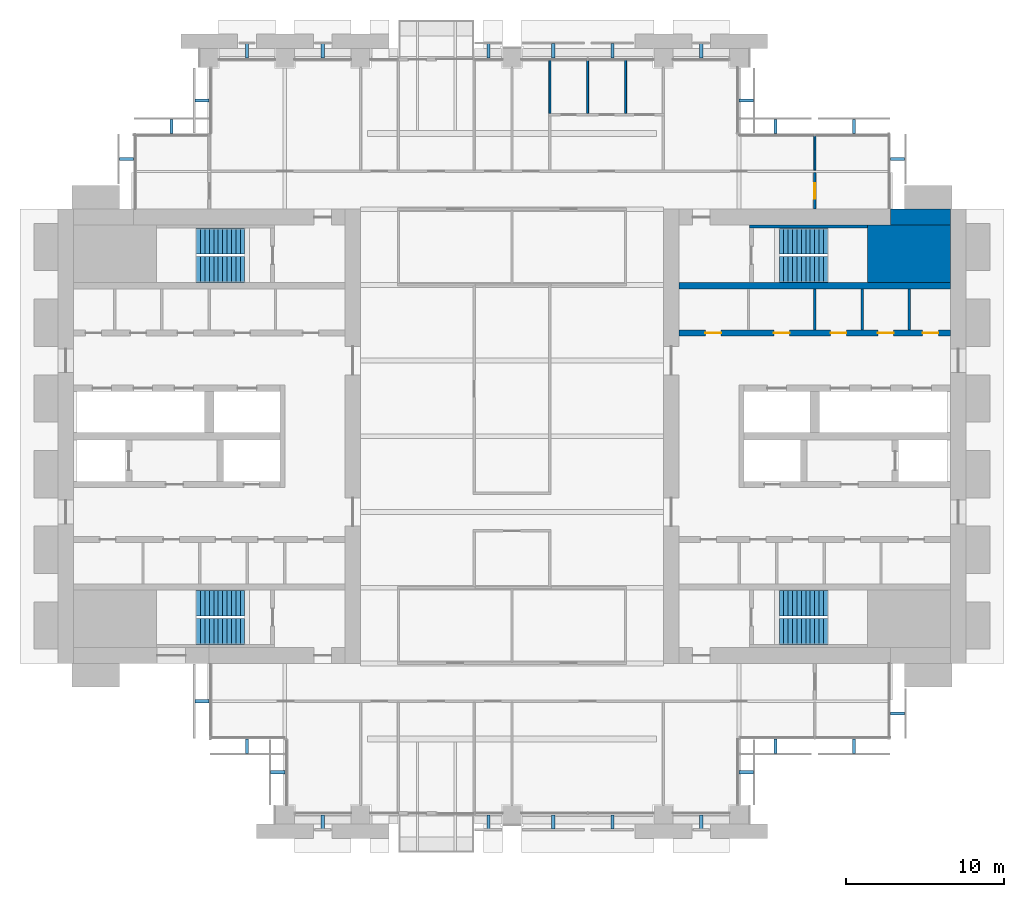
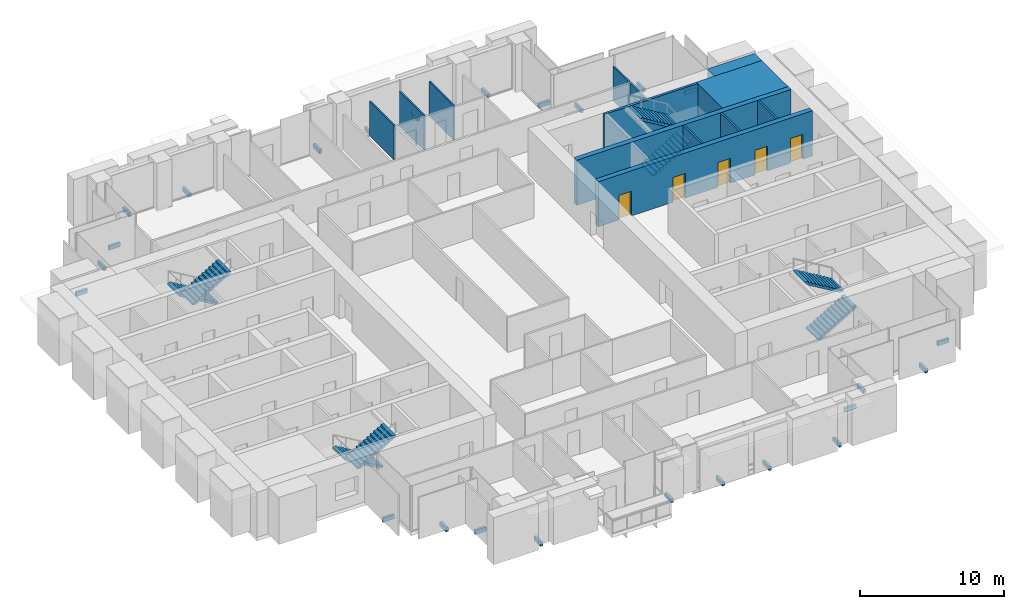
# One storey, part 13 of 15: 25 discrete accessories, 13 walls, 8 stair flights, 6 doors, 6 openings, 4 elements without a shape of their own.
"""IFC4 building model written with IfcOpenShell, lengths in metres."""

from ifc_helpers import new_model, si_unit, direction, frame, frame_2d, origin, origin_2d, place, context, subcontext, project, spatial, polyline, rectangle, outline, extrude, material, layer, layer_set, type_object, element, fill, aggregate, save


model = new_model("IFC4")

# Units and contexts
model_context = context("Model", 3, precision=1e-05, world=origin(), true_north=direction((0.0, 1.0)))
body_context = subcontext(model_context, "Body", "Model", "MODEL_VIEW")
ifc_project = project(units=[si_unit("LENGTHUNIT", "METRE"), si_unit("AREAUNIT", "SQUARE_METRE"), si_unit("VOLUMEUNIT", "CUBIC_METRE"), si_unit("PLANEANGLEUNIT", "RADIAN"), si_unit("MASSUNIT", "GRAM", prefix="KILO")], contexts=[model_context])

# Site, building, storey
site_placement = place(None, origin())
site = spatial("IfcSite", under=ifc_project, at=site_placement, CompositionType="ELEMENT")
building_placement = place(site_placement, origin())
building = spatial("IfcBuilding", under=site, at=building_placement, Name="Baori Bourse Tower", CompositionType="ELEMENT")
storey_placement = place(building_placement, frame((0.0, 0.0, 104.10009765625)))
storey = spatial("IfcBuildingStorey", under=building, at=storey_placement, Name="L21", CompositionType="ELEMENT", Elevation=104.10009765625)

# Walls
ifc_material_1 = material(Name="Concrete f'c 60 MPa", Category="concrete")
wall_type_1 = type_object("IfcWallType", Name="Core corner block f'c 60", PredefinedType="SHEAR", material=ifc_material_1)
wall_1_placement = place(storey_placement, frame((51.35009765625, 35.574951171875, 0.0), z_axis=(0.0, 0.0, 1.0), x_axis=(1.0, 0.0, 0.0)))
element("IfcWall", 1, at=wall_1_placement, inside=storey, type_object=wall_type_1, Name="Core wall E27", PredefinedType="SHEAR", context=body_context, shape_type="SweptSolid", body=[
    extrude(rectangle(XDim=5.25, YDim=3.64990234375, at=frame_2d((2.625, 0.0))), origin(), (0.0, 0.0, 1.0), 3.83984375),
])
ifc_material_2 = material(Name="Blockwork partition", Category="masonry")
ifc_layer_1 = layer(ifc_material_2, 0.14990234375)
ifc_layer_set_1 = layer_set([ifc_layer_1], Name="Core partition 150")
wall_type_2 = type_object("IfcWallType", Name="Core partition 150", PredefinedType="PARTITIONING", material=ifc_layer_set_1)
for number, where, z_axis, x_axis, name in (
    (2, (54.0, 30.75, 0.0), (0.0, 0.0, 1.0), (0.0, 1.0, 0.0), "Partition wall E22"),
    (3, (51.0, 30.75, 0.0), (0.0, 0.0, 1.0), (0.0, 1.0, 0.0), "Partition wall E23"),
    (4, (48.0, 30.75, 0.0), (0.0, 0.0, 1.0), (0.0, 1.0, 0.0), "Partition wall E24"),
):
    element("IfcWall", number, at=place(storey_placement, frame(where, z_axis=z_axis, x_axis=x_axis)), inside=storey, type_object=wall_type_2, Name=name, PredefinedType="PARTITIONING", context=body_context, shape_type="SweptSolid", body=[
        extrude(rectangle(XDim=2.60009765625, YDim=0.14990234375, at=frame_2d((1.300048828125, 0.0))), origin(), (0.0, 0.0, 1.0), 3.83984375),
    ])
ifc_material_3 = material(Name="Concrete f'c 60 MPa", Category="concrete")
ifc_layer_2 = layer(ifc_material_3, 1.0)
ifc_layer_set_2 = layer_set([ifc_layer_2], Name="Core wall 1000 f'c 60")
wall_type_3 = type_object("IfcWallType", Name="Core wall 1000 f'c 60", PredefinedType="SHEAR", material=ifc_layer_set_2)
wall_2_placement = place(storey_placement, frame((52.800048828125, 37.89990234375, 0.0), z_axis=(0.0, 0.0, 1.0), x_axis=(1.0, 0.0, 0.0)))
element("IfcWall", 5, at=wall_2_placement, inside=storey, type_object=wall_type_3, Name="Core wall E30", PredefinedType="SHEAR", context=body_context, shape_type="SweptSolid", body=[
    extrude(rectangle(XDim=3.800048828125, YDim=1.0, at=frame_2d((1.89990234375, 0.0))), origin(), (0.0, 0.0, 1.0), 3.83984375),
])

# Wall, opening, door
ifc_material_4 = material(Name="Gypsum board partition")
ifc_layer_3 = layer(ifc_material_4, 0.14990234375)
ifc_layer_set_3 = layer_set([ifc_layer_3], Name="Corridor partition 150")
wall_type_4 = type_object("IfcWallType", Name="Corridor partition 150", PredefinedType="PARTITIONING", material=ifc_layer_set_3)
wall_3_placement = place(storey_placement, frame((48.0, 38.39990234375, 0.0), z_axis=(0.0, 0.0, 1.0), x_axis=(0.0, 1.0, 0.0)))
wall_3 = element("IfcWall", 6, at=wall_3_placement, inside=storey, type_object=wall_type_4, Name="Partition", PredefinedType="PARTITIONING", context=body_context, shape_type="SweptSolid", body=[
    extrude(rectangle(XDim=2.3251953125, YDim=0.14990234375, at=frame_2d((1.16259765625, 0.0))), origin(), (0.0, 0.0, 1.0), 2.935546875),
])
opening_1_placement = place(wall_3_placement, frame((0.66259765625, 0.0, 0.0)))
opening_1 = element("IfcOpeningElement", 7, at=opening_1_placement, cuts=wall_3, Name="Opening L21-D25", PredefinedType="OPENING", context=body_context, shape_type="SweptSolid", body=[
    extrude(rectangle(XDim=1.0, YDim=2.10009765625, at=frame_2d((0.5, 1.050048828125))), frame((0.0, 0.0849609375, 0.0), z_axis=(0.0, -1.0, 0.0), x_axis=(1.0, 0.0, 0.0)), (0.0, 0.0, 1.0), 0.169921875),
])
ifc_material_5 = material(Name="Timber door leaf", Category="wood")
door_type_1 = type_object("IfcDoorType", Name="Door 1000 x 2100", OperationType="SINGLE_SWING_LEFT", PredefinedType="DOOR", material=ifc_material_5)
door_1_placement = place(opening_1_placement, origin())
door_1 = element("IfcDoor", 8, at=door_1_placement, inside=storey, type_object=door_type_1, Name="Door", OperationType="SINGLE_SWING_LEFT", OverallHeight=2.10009765625, OverallWidth=1.0, PredefinedType="DOOR", context=body_context, shape_type="SweptSolid", body=[
    extrude(rectangle(XDim=1.0, YDim=2.10009765625, at=frame_2d((0.5, 1.050048828125))), frame((0.0, 0.02490234375, 0.0), z_axis=(0.0, -1.0, 0.0), x_axis=(1.0, 0.0, 0.0)), (0.0, 0.0, 1.0), 0.050048828125),
])
fill(opening_1, door_1)

# Walls
ifc_material_6 = material(Name="Gypsum board partition")
ifc_layer_4 = layer(ifc_material_6, 0.125)
ifc_layer_set_4 = layer_set([ifc_layer_4], Name="Partition 125")
wall_type_5 = type_object("IfcWallType", Name="Partition 125", PredefinedType="PARTITIONING", material=ifc_layer_set_4)
for number, where, z_axis, x_axis, name in (
    (9, (31.199951171875, 44.47509765625, 0.0), (0.0, 0.0, 1.0), (0.0, 1.0, 0.0), "Partition"),
    (10, (33.60009765625, 44.47509765625, 0.0), (0.0, 0.0, 1.0), (0.0, 1.0, 0.0), "Partition"),
    (11, (36.0, 44.47509765625, 0.0), (0.0, 0.0, 1.0), (0.0, 1.0, 0.0), "Partition"),
):
    element("IfcWall", number, at=place(storey_placement, frame(where, z_axis=z_axis, x_axis=x_axis)), inside=storey, type_object=wall_type_5, Name=name, PredefinedType="PARTITIONING", context=body_context, shape_type="SweptSolid", body=[
        extrude(rectangle(XDim=3.4248046875, YDim=0.125, at=frame_2d((1.71240234375, 0.0))), origin(), (0.0, 0.0, 1.0), 2.935546875),
    ])
wall_4_placement = place(storey_placement, frame((48.0, 40.875, 0.0), z_axis=(0.0, 0.0, 1.0), x_axis=(0.0, 1.0, 0.0)))
element("IfcWall", 12, at=wall_4_placement, inside=storey, type_object=wall_type_5, Name="Partition", PredefinedType="PARTITIONING", context=body_context, shape_type="SweptSolid", body=[
    extrude(rectangle(XDim=2.22509765625, YDim=0.125, at=frame_2d((1.112548828125, 0.0))), origin(), (0.0, 0.0, 1.0), 2.935546875),
])
ifc_material_7 = material(Name="Concrete f'c 60 MPa", Category="concrete")
ifc_layer_5 = layer(ifc_material_7, 0.199951171875)
ifc_layer_set_5 = layer_set([ifc_layer_5], Name="Shaft wall 200 f'c 60")
wall_type_6 = type_object("IfcWallType", Name="Shaft wall 200 f'c 60", PredefinedType="SHEAR", material=ifc_layer_set_5)
wall_5_placement = place(storey_placement, frame((43.85009765625, 37.300048828125, 0.0), z_axis=(0.0, 0.0, 1.0), x_axis=(1.0, 0.0, 0.0)))
element("IfcWall", 13, at=wall_5_placement, inside=storey, type_object=wall_type_6, Name="Core wall E29", PredefinedType="SHEAR", context=body_context, shape_type="SweptSolid", body=[
    extrude(rectangle(XDim=7.5, YDim=0.199951171875, at=frame_2d((3.75, 0.0))), origin(), (0.0, 0.0, 1.0), 3.83984375),
])

# Wall, openings, doors
ifc_material_8 = material(Name="Concrete f'c 60 MPa", Category="concrete")
ifc_layer_6 = layer(ifc_material_8, 0.39990234375)
ifc_layer_set_6 = layer_set([ifc_layer_6], Name="Shaft wall 400 f'c 60")
wall_type_7 = type_object("IfcWallType", Name="Shaft wall 400 f'c 60", PredefinedType="SHEAR", material=ifc_layer_set_6)
wall_6_placement = place(storey_placement, frame((39.39990234375, 30.550048828125, 0.0), z_axis=(0.0, 0.0, 1.0), x_axis=(1.0, 0.0, 0.0)))
wall_6 = element("IfcWall", 14, at=wall_6_placement, inside=storey, type_object=wall_type_7, Name="Core wall E21", PredefinedType="SHEAR", context=body_context, shape_type="SweptSolid", body=[
    extrude(rectangle(XDim=17.2001953125, YDim=0.39990234375, at=frame_2d((8.60009765625, 0.0))), origin(), (0.0, 0.0, 1.0), 3.83984375),
])
opening_2_placement = place(wall_6_placement, frame((15.4375, 0.0, 0.0)))
opening_2 = element("IfcOpeningElement", 15, at=opening_2_placement, cuts=wall_6, Name="Opening L21-D209", PredefinedType="OPENING", context=body_context, shape_type="SweptSolid", body=[
    extrude(rectangle(XDim=1.0, YDim=2.10009765625, at=frame_2d((0.5, 1.050048828125))), frame((0.0, 0.2099609375, 0.0), z_axis=(0.0, -1.0, 0.0), x_axis=(1.0, 0.0, 0.0)), (0.0, 0.0, 1.0), 0.419921875),
])
opening_3_placement = place(wall_6_placement, frame((12.60009765625, 0.0, 0.0)))
opening_3 = element("IfcOpeningElement", 16, at=opening_3_placement, cuts=wall_6, Name="Opening L21-D210", PredefinedType="OPENING", context=body_context, shape_type="SweptSolid", body=[
    extrude(rectangle(XDim=1.0, YDim=2.10009765625, at=frame_2d((0.5, 1.050048828125))), frame((0.0, 0.2099609375, 0.0), z_axis=(0.0, -1.0, 0.0), x_axis=(1.0, 0.0, 0.0)), (0.0, 0.0, 1.0), 0.419921875),
])
opening_4_placement = place(wall_6_placement, frame((9.60009765625, 0.0, 0.0)))
opening_4 = element("IfcOpeningElement", 17, at=opening_4_placement, cuts=wall_6, Name="Opening L21-D211", PredefinedType="OPENING", context=body_context, shape_type="SweptSolid", body=[
    extrude(rectangle(XDim=1.0, YDim=2.10009765625, at=frame_2d((0.5, 1.050048828125))), frame((0.0, 0.2099609375, 0.0), z_axis=(0.0, -1.0, 0.0), x_axis=(1.0, 0.0, 0.0)), (0.0, 0.0, 1.0), 0.419921875),
])
opening_5_placement = place(wall_6_placement, frame((6.0, 0.0, 0.0)))
opening_5 = element("IfcOpeningElement", 18, at=opening_5_placement, cuts=wall_6, Name="Opening L21-D212", PredefinedType="OPENING", context=body_context, shape_type="SweptSolid", body=[
    extrude(rectangle(XDim=1.0, YDim=2.10009765625, at=frame_2d((0.5, 1.050048828125))), frame((0.0, 0.2099609375, 0.0), z_axis=(0.0, -1.0, 0.0), x_axis=(1.0, 0.0, 0.0)), (0.0, 0.0, 1.0), 0.419921875),
])
opening_6_placement = place(wall_6_placement, frame((1.66259765625, 0.0, 0.0)))
opening_6 = element("IfcOpeningElement", 19, at=opening_6_placement, cuts=wall_6, Name="Opening L21-D213", PredefinedType="OPENING", context=body_context, shape_type="SweptSolid", body=[
    extrude(rectangle(XDim=1.0, YDim=2.10009765625, at=frame_2d((0.5, 1.050048828125))), frame((0.0, 0.2099609375, 0.0), z_axis=(0.0, -1.0, 0.0), x_axis=(1.0, 0.0, 0.0)), (0.0, 0.0, 1.0), 0.419921875),
])
ifc_material_9 = material(Name="Painted steel door", Category="steel")
door_type_2 = type_object("IfcDoorType", Name="Core door 1000", OperationType="SINGLE_SWING_LEFT", PredefinedType="DOOR", material=ifc_material_9)
door_2_placement = place(opening_2_placement, origin())
door_2 = element("IfcDoor", 20, at=door_2_placement, inside=storey, type_object=door_type_2, Name="Pantry door E L21", OperationType="SINGLE_SWING_LEFT", OverallHeight=2.10009765625, OverallWidth=1.0, PredefinedType="DOOR", context=body_context, shape_type="SweptSolid", body=[
    extrude(rectangle(XDim=1.0, YDim=2.10009765625, at=frame_2d((0.5, 1.050048828125))), frame((0.0, 0.02490234375, 0.0), z_axis=(0.0, -1.0, 0.0), x_axis=(1.0, 0.0, 0.0)), (0.0, 0.0, 1.0), 0.050048828125),
])
fill(opening_2, door_2)
door_3_placement = place(opening_3_placement, origin())
door_3 = element("IfcDoor", 21, at=door_3_placement, inside=storey, type_object=door_type_2, Name="Accessible Wc door E L21", OperationType="SINGLE_SWING_LEFT", OverallHeight=2.10009765625, OverallWidth=1.0, PredefinedType="DOOR", context=body_context, shape_type="SweptSolid", body=[
    extrude(rectangle(XDim=1.0, YDim=2.10009765625, at=frame_2d((0.5, 1.050048828125))), frame((0.0, 0.02490234375, 0.0), z_axis=(0.0, -1.0, 0.0), x_axis=(1.0, 0.0, 0.0)), (0.0, 0.0, 1.0), 0.050048828125),
])
fill(opening_3, door_3)
door_4_placement = place(opening_4_placement, origin())
door_4 = element("IfcDoor", 22, at=door_4_placement, inside=storey, type_object=door_type_2, Name="Store Room door E L21", OperationType="SINGLE_SWING_LEFT", OverallHeight=2.10009765625, OverallWidth=1.0, PredefinedType="DOOR", context=body_context, shape_type="SweptSolid", body=[
    extrude(rectangle(XDim=1.0, YDim=2.10009765625, at=frame_2d((0.5, 1.050048828125))), frame((0.0, 0.02490234375, 0.0), z_axis=(0.0, -1.0, 0.0), x_axis=(1.0, 0.0, 0.0)), (0.0, 0.0, 1.0), 0.050048828125),
])
fill(opening_4, door_4)
door_5_placement = place(opening_5_placement, origin())
door_5 = element("IfcDoor", 23, at=door_5_placement, inside=storey, type_object=door_type_2, Name="Men'S Wc door E L21", OperationType="SINGLE_SWING_LEFT", OverallHeight=2.10009765625, OverallWidth=1.0, PredefinedType="DOOR", context=body_context, shape_type="SweptSolid", body=[
    extrude(rectangle(XDim=1.0, YDim=2.10009765625, at=frame_2d((0.5, 1.050048828125))), frame((0.0, 0.02490234375, 0.0), z_axis=(0.0, -1.0, 0.0), x_axis=(1.0, 0.0, 0.0)), (0.0, 0.0, 1.0), 0.050048828125),
])
fill(opening_5, door_5)
door_6_placement = place(opening_6_placement, origin())
door_6 = element("IfcDoor", 24, at=door_6_placement, inside=storey, type_object=door_type_2, Name="Women'S Wc door E L21", OperationType="SINGLE_SWING_LEFT", OverallHeight=2.10009765625, OverallWidth=1.0, PredefinedType="DOOR", context=body_context, shape_type="SweptSolid", body=[
    extrude(rectangle(XDim=1.0, YDim=2.10009765625, at=frame_2d((0.5, 1.050048828125))), frame((0.0, 0.02490234375, 0.0), z_axis=(0.0, -1.0, 0.0), x_axis=(1.0, 0.0, 0.0)), (0.0, 0.0, 1.0), 0.050048828125),
])
fill(opening_6, door_6)

# Wall
wall_7_placement = place(storey_placement, frame((39.39990234375, 33.550048828125, 0.0), z_axis=(0.0, 0.0, 1.0), x_axis=(1.0, 0.0, 0.0)))
element("IfcWall", 25, at=wall_7_placement, inside=storey, type_object=wall_type_7, Name="Core wall E26", PredefinedType="SHEAR", context=body_context, shape_type="SweptSolid", body=[
    extrude(rectangle(XDim=17.2001953125, YDim=0.39990234375, at=frame_2d((8.60009765625, 0.0))), origin(), (0.0, 0.0, 1.0), 3.83984375),
])

# Stair, stair flights
ifc_material_10 = material(Name="Concrete f'c 50 MPa", Category="concrete")
stair_type = type_object("IfcStairType", Name="Core stair", PredefinedType="HALF_TURN_STAIR", material=ifc_material_10)
stair_1_placement = place(storey_placement, origin())
stair_1 = element("IfcStair", 26, at=stair_1_placement, inside=storey, type_object=stair_type, Name="L21 Stair WA", PredefinedType="HALF_TURN_STAIR")
ifc_material_11 = material(Name="Concrete f'c 50 MPa", Category="concrete")
stair_flight_type = type_object("IfcStairFlightType", Name="Core stair flight", PredefinedType="STRAIGHT", material=ifc_material_11)
stair_flight_1_placement = place(storey_placement, frame((11.85009765625, 13.425048828125, 0.0), z_axis=(0.0, 0.0, 1.0), x_axis=(-1.0, 0.0, 0.0)))
stair_flight_1 = element("IfcStairFlight", 27, at=stair_flight_1_placement, type_object=stair_flight_type, Name="ST1 flight 1", NumberOfRisers=12, NumberOfTreads=11, PredefinedType="STRAIGHT", RiserHeight=0.166666667, TreadLength=0.28, context=body_context, shape_type="SweptSolid", body=[
    extrude(outline(polyline([(0.0, 0.0), (0.0, 0.166748046875), (0.280029296875, 0.166748046875), (0.280029296875, 0.333251953125), (0.56005859375, 0.333251953125), (0.56005859375, 0.5), (0.840087890625, 0.5), (0.840087890625, 0.666748046875), (1.1201171875, 0.666748046875), (1.1201171875, 0.833251953125), (1.39990234375, 0.833251953125), (1.39990234375, 1.0), (1.679931640625, 1.0), (1.679931640625, 1.166748046875), (1.9599609375, 1.166748046875), (1.9599609375, 1.333251953125), (2.239990234375, 1.333251953125), (2.239990234375, 1.5), (2.52001953125, 1.5), (2.52001953125, 1.666748046875), (2.800048828125, 1.666748046875), (2.800048828125, 1.833251953125), (3.080078125, 1.833251953125), (3.080078125, 2.0), (3.080078125, 1.658935546875), (0.29296875, 0.0), (0.0, 0.0)])), frame((0.0, 0.824951171875, 0.0), z_axis=(0.0, -1.0, 0.0), x_axis=(1.0, 0.0, 0.0)), (0.0, 0.0, 1.0), 1.64990234375),
])
stair_flight_2_placement = place(storey_placement, frame((8.77001953125, 11.625, 2.0), z_axis=(0.0, 0.0, 1.0), x_axis=(1.0, 0.0, 0.0)))
stair_flight_2 = element("IfcStairFlight", 28, at=stair_flight_2_placement, type_object=stair_flight_type, Name="ST1 flight 2", NumberOfRisers=12, NumberOfTreads=11, PredefinedType="STRAIGHT", RiserHeight=0.166666667, TreadLength=0.28, context=body_context, shape_type="SweptSolid", body=[
    extrude(outline(polyline([(0.0, 0.0), (0.0, 0.166748046875), (0.280029296875, 0.166748046875), (0.280029296875, 0.333251953125), (0.56005859375, 0.333251953125), (0.56005859375, 0.5), (0.840087890625, 0.5), (0.840087890625, 0.666748046875), (1.1201171875, 0.666748046875), (1.1201171875, 0.833251953125), (1.39990234375, 0.833251953125), (1.39990234375, 1.0), (1.679931640625, 1.0), (1.679931640625, 1.166748046875), (1.9599609375, 1.166748046875), (1.9599609375, 1.333251953125), (2.239990234375, 1.333251953125), (2.239990234375, 1.5), (2.52001953125, 1.5), (2.52001953125, 1.666748046875), (2.800048828125, 1.666748046875), (2.800048828125, 1.833251953125), (3.080078125, 1.833251953125), (3.080078125, 2.0), (3.080078125, 1.658935546875), (0.29296875, 0.0), (0.0, 0.0)])), frame((0.0, 0.824951171875, 0.0), z_axis=(0.0, -1.0, 0.0), x_axis=(1.0, 0.0, 0.0)), (0.0, 0.0, 1.0), 1.64990234375),
])
aggregate(stair_1, [stair_flight_1, stair_flight_2])

stair_2_placement = place(storey_placement, origin())
stair_2 = element("IfcStair", 29, at=stair_2_placement, inside=storey, type_object=stair_type, Name="L21 Stair WB", PredefinedType="HALF_TURN_STAIR")
stair_flight_3_placement = place(storey_placement, frame((11.85009765625, 36.375, 0.0), z_axis=(0.0, 0.0, 1.0), x_axis=(-1.0, 0.0, 0.0)))
stair_flight_3 = element("IfcStairFlight", 30, at=stair_flight_3_placement, type_object=stair_flight_type, Name="ST2 flight 1", NumberOfRisers=12, NumberOfTreads=11, PredefinedType="STRAIGHT", RiserHeight=0.166666667, TreadLength=0.28, context=body_context, shape_type="SweptSolid", body=[
    extrude(outline(polyline([(0.0, 0.0), (0.0, 0.166748046875), (0.280029296875, 0.166748046875), (0.280029296875, 0.333251953125), (0.56005859375, 0.333251953125), (0.56005859375, 0.5), (0.840087890625, 0.5), (0.840087890625, 0.666748046875), (1.1201171875, 0.666748046875), (1.1201171875, 0.833251953125), (1.39990234375, 0.833251953125), (1.39990234375, 1.0), (1.679931640625, 1.0), (1.679931640625, 1.166748046875), (1.9599609375, 1.166748046875), (1.9599609375, 1.333251953125), (2.239990234375, 1.333251953125), (2.239990234375, 1.5), (2.52001953125, 1.5), (2.52001953125, 1.666748046875), (2.800048828125, 1.666748046875), (2.800048828125, 1.833251953125), (3.080078125, 1.833251953125), (3.080078125, 2.0), (3.080078125, 1.658935546875), (0.29296875, 0.0), (0.0, 0.0)])), frame((0.0, 0.824951171875, 0.0), z_axis=(0.0, -1.0, 0.0), x_axis=(1.0, 0.0, 0.0)), (0.0, 0.0, 1.0), 1.64990234375),
])
stair_flight_4_placement = place(storey_placement, frame((8.77001953125, 34.574951171875, 2.0), z_axis=(0.0, 0.0, 1.0), x_axis=(1.0, 0.0, 0.0)))
stair_flight_4 = element("IfcStairFlight", 31, at=stair_flight_4_placement, type_object=stair_flight_type, Name="ST2 flight 2", NumberOfRisers=12, NumberOfTreads=11, PredefinedType="STRAIGHT", RiserHeight=0.166666667, TreadLength=0.28, context=body_context, shape_type="SweptSolid", body=[
    extrude(outline(polyline([(0.0, 0.0), (0.0, 0.166748046875), (0.280029296875, 0.166748046875), (0.280029296875, 0.333251953125), (0.56005859375, 0.333251953125), (0.56005859375, 0.5), (0.840087890625, 0.5), (0.840087890625, 0.666748046875), (1.1201171875, 0.666748046875), (1.1201171875, 0.833251953125), (1.39990234375, 0.833251953125), (1.39990234375, 1.0), (1.679931640625, 1.0), (1.679931640625, 1.166748046875), (1.9599609375, 1.166748046875), (1.9599609375, 1.333251953125), (2.239990234375, 1.333251953125), (2.239990234375, 1.5), (2.52001953125, 1.5), (2.52001953125, 1.666748046875), (2.800048828125, 1.666748046875), (2.800048828125, 1.833251953125), (3.080078125, 1.833251953125), (3.080078125, 2.0), (3.080078125, 1.658935546875), (0.29296875, 0.0), (0.0, 0.0)])), frame((0.0, 0.824951171875, 0.0), z_axis=(0.0, -1.0, 0.0), x_axis=(1.0, 0.0, 0.0)), (0.0, 0.0, 1.0), 1.64990234375),
])
aggregate(stair_2, [stair_flight_3, stair_flight_4])

stair_3_placement = place(storey_placement, origin())
stair_3 = element("IfcStair", 32, at=stair_3_placement, inside=storey, type_object=stair_type, Name="L21 Stair EA", PredefinedType="HALF_TURN_STAIR")
stair_flight_5_placement = place(storey_placement, frame((45.75, 11.625, 0.0), z_axis=(0.0, 0.0, 1.0), x_axis=(1.0, 0.0, 0.0)))
stair_flight_5 = element("IfcStairFlight", 33, at=stair_flight_5_placement, type_object=stair_flight_type, Name="ST3 flight 1", NumberOfRisers=12, NumberOfTreads=11, PredefinedType="STRAIGHT", RiserHeight=0.166666667, TreadLength=0.28, context=body_context, shape_type="SweptSolid", body=[
    extrude(outline(polyline([(0.0, 0.0), (0.0, 0.166748046875), (0.280029296875, 0.166748046875), (0.280029296875, 0.333251953125), (0.56005859375, 0.333251953125), (0.56005859375, 0.5), (0.840087890625, 0.5), (0.840087890625, 0.666748046875), (1.1201171875, 0.666748046875), (1.1201171875, 0.833251953125), (1.39990234375, 0.833251953125), (1.39990234375, 1.0), (1.679931640625, 1.0), (1.679931640625, 1.166748046875), (1.9599609375, 1.166748046875), (1.9599609375, 1.333251953125), (2.239990234375, 1.333251953125), (2.239990234375, 1.5), (2.52001953125, 1.5), (2.52001953125, 1.666748046875), (2.800048828125, 1.666748046875), (2.800048828125, 1.833251953125), (3.080078125, 1.833251953125), (3.080078125, 2.0), (3.080078125, 1.658935546875), (0.29296875, 0.0), (0.0, 0.0)])), frame((0.0, 0.824951171875, 0.0), z_axis=(0.0, -1.0, 0.0), x_axis=(1.0, 0.0, 0.0)), (0.0, 0.0, 1.0), 1.64990234375),
])
stair_flight_6_placement = place(storey_placement, frame((48.830078125, 13.425048828125, 2.0), z_axis=(0.0, 0.0, 1.0), x_axis=(-1.0, 0.0, 0.0)))
stair_flight_6 = element("IfcStairFlight", 34, at=stair_flight_6_placement, type_object=stair_flight_type, Name="ST3 flight 2", NumberOfRisers=12, NumberOfTreads=11, PredefinedType="STRAIGHT", RiserHeight=0.166666667, TreadLength=0.28, context=body_context, shape_type="SweptSolid", body=[
    extrude(outline(polyline([(0.0, 0.0), (0.0, 0.166748046875), (0.280029296875, 0.166748046875), (0.280029296875, 0.333251953125), (0.56005859375, 0.333251953125), (0.56005859375, 0.5), (0.840087890625, 0.5), (0.840087890625, 0.666748046875), (1.1201171875, 0.666748046875), (1.1201171875, 0.833251953125), (1.39990234375, 0.833251953125), (1.39990234375, 1.0), (1.679931640625, 1.0), (1.679931640625, 1.166748046875), (1.9599609375, 1.166748046875), (1.9599609375, 1.333251953125), (2.239990234375, 1.333251953125), (2.239990234375, 1.5), (2.52001953125, 1.5), (2.52001953125, 1.666748046875), (2.800048828125, 1.666748046875), (2.800048828125, 1.833251953125), (3.080078125, 1.833251953125), (3.080078125, 2.0), (3.080078125, 1.658935546875), (0.29296875, 0.0), (0.0, 0.0)])), frame((0.0, 0.824951171875, 0.0), z_axis=(0.0, -1.0, 0.0), x_axis=(1.0, 0.0, 0.0)), (0.0, 0.0, 1.0), 1.64990234375),
])
aggregate(stair_3, [stair_flight_5, stair_flight_6])

stair_4_placement = place(storey_placement, origin())
stair_4 = element("IfcStair", 35, at=stair_4_placement, inside=storey, type_object=stair_type, Name="L21 Stair EB", PredefinedType="HALF_TURN_STAIR")
stair_flight_7_placement = place(storey_placement, frame((45.75, 34.574951171875, 0.0), z_axis=(0.0, 0.0, 1.0), x_axis=(1.0, 0.0, 0.0)))
stair_flight_7 = element("IfcStairFlight", 36, at=stair_flight_7_placement, type_object=stair_flight_type, Name="ST4 flight 1", NumberOfRisers=12, NumberOfTreads=11, PredefinedType="STRAIGHT", RiserHeight=0.166666667, TreadLength=0.28, context=body_context, shape_type="SweptSolid", body=[
    extrude(outline(polyline([(0.0, 0.0), (0.0, 0.166748046875), (0.280029296875, 0.166748046875), (0.280029296875, 0.333251953125), (0.56005859375, 0.333251953125), (0.56005859375, 0.5), (0.840087890625, 0.5), (0.840087890625, 0.666748046875), (1.1201171875, 0.666748046875), (1.1201171875, 0.833251953125), (1.39990234375, 0.833251953125), (1.39990234375, 1.0), (1.679931640625, 1.0), (1.679931640625, 1.166748046875), (1.9599609375, 1.166748046875), (1.9599609375, 1.333251953125), (2.239990234375, 1.333251953125), (2.239990234375, 1.5), (2.52001953125, 1.5), (2.52001953125, 1.666748046875), (2.800048828125, 1.666748046875), (2.800048828125, 1.833251953125), (3.080078125, 1.833251953125), (3.080078125, 2.0), (3.080078125, 1.658935546875), (0.29296875, 0.0), (0.0, 0.0)])), frame((0.0, 0.824951171875, 0.0), z_axis=(0.0, -1.0, 0.0), x_axis=(1.0, 0.0, 0.0)), (0.0, 0.0, 1.0), 1.64990234375),
])
stair_flight_8_placement = place(storey_placement, frame((48.830078125, 36.375, 2.0), z_axis=(0.0, 0.0, 1.0), x_axis=(-1.0, 0.0, 0.0)))
stair_flight_8 = element("IfcStairFlight", 37, at=stair_flight_8_placement, type_object=stair_flight_type, Name="ST4 flight 2", NumberOfRisers=12, NumberOfTreads=11, PredefinedType="STRAIGHT", RiserHeight=0.166666667, TreadLength=0.28, context=body_context, shape_type="SweptSolid", body=[
    extrude(outline(polyline([(0.0, 0.0), (0.0, 0.166748046875), (0.280029296875, 0.166748046875), (0.280029296875, 0.333251953125), (0.56005859375, 0.333251953125), (0.56005859375, 0.5), (0.840087890625, 0.5), (0.840087890625, 0.666748046875), (1.1201171875, 0.666748046875), (1.1201171875, 0.833251953125), (1.39990234375, 0.833251953125), (1.39990234375, 1.0), (1.679931640625, 1.0), (1.679931640625, 1.166748046875), (1.9599609375, 1.166748046875), (1.9599609375, 1.333251953125), (2.239990234375, 1.333251953125), (2.239990234375, 1.5), (2.52001953125, 1.5), (2.52001953125, 1.666748046875), (2.800048828125, 1.666748046875), (2.800048828125, 1.833251953125), (3.080078125, 1.833251953125), (3.080078125, 2.0), (3.080078125, 1.658935546875), (0.29296875, 0.0), (0.0, 0.0)])), frame((0.0, 0.824951171875, 0.0), z_axis=(0.0, -1.0, 0.0), x_axis=(1.0, 0.0, 0.0)), (0.0, 0.0, 1.0), 1.64990234375),
])
aggregate(stair_4, [stair_flight_7, stair_flight_8])

# Discrete accessories
ifc_material_12 = material(Name="Pale anodised aluminium", Category="aluminium")
discrete_accessory_type = type_object("IfcDiscreteAccessoryType", Name="OS2 Outer skin bracket", PredefinedType="BRACKET", material=ifc_material_12)
for number, where, z_axis, x_axis, name in (
    (38, (53.25, 41.574951171875, -0.240234375), (0.0, 0.0, 1.0), (0.0, 1.0, 0.0), "Outer skin bracket L21 1"),
    (39, (50.487548828125, 43.64990234375, -0.240234375), (0.0, 0.0, 1.0), (-1.0, 0.0, 0.0), "Outer skin bracket L21 2"),
    (40, (45.512451171875, 43.64990234375, -0.240234375), (0.0, 0.0, 1.0), (-1.0, 0.0, 0.0), "Outer skin bracket L21 3"),
    (41, (43.64990234375, 45.300048828125, -0.240234375), (0.0, 0.0, 1.0), (0.0, 1.0, 0.0), "Outer skin bracket L21 4"),
    (42, (40.800048828125, 48.449951171875, -0.240234375), (0.0, 0.0, 1.0), (-1.0, 0.0, 0.0), "Outer skin bracket L21 5"),
    (43, (35.16259765625, 48.449951171875, -0.240234375), (0.0, 0.0, 1.0), (-1.0, 0.0, 0.0), "Outer skin bracket L21 6"),
    (44, (31.41259765625, 48.449951171875, -0.240234375), (0.0, 0.0, 1.0), (-1.0, 0.0, 0.0), "Outer skin bracket L21 7"),
    (45, (27.300048828125, 48.449951171875, -0.240234375), (0.0, 0.0, 1.0), (-1.0, 0.0, 0.0), "Outer skin bracket L21 8"),
    (46, (16.800048828125, 48.449951171875, -0.240234375), (0.0, 0.0, 1.0), (-1.0, 0.0, 0.0), "Outer skin bracket L21 9"),
    (47, (12.0, 48.449951171875, -0.240234375), (0.0, 0.0, 1.0), (-1.0, 0.0, 0.0), "Outer skin bracket L21 10"),
    (48, (9.14990234375, 45.300048828125, -0.240234375), (0.0, 0.0, 1.0), (0.0, -1.0, 0.0), "Outer skin bracket L21 11"),
    (49, (7.199951171875, 43.64990234375, -0.240234375), (0.0, 0.0, 1.0), (-1.0, 0.0, 0.0), "Outer skin bracket L21 12"),
    (50, (4.35009765625, 41.574951171875, -0.240234375), (0.0, 0.0, 1.0), (0.0, -1.0, 0.0), "Outer skin bracket L21 13"),
    (51, (9.14990234375, 7.199951171875, -0.240234375), (0.0, 0.0, 1.0), (0.0, -1.0, 0.0), "Outer skin bracket L21 14"),
    (52, (12.0, 4.35009765625, -0.240234375), (0.0, 0.0, 1.0), (1.0, 0.0, 0.0), "Outer skin bracket L21 15"),
    (53, (13.949951171875, 2.699951171875, -0.240234375), (0.0, 0.0, 1.0), (0.0, -1.0, 0.0), "Outer skin bracket L21 16"),
    (54, (16.800048828125, -0.449951171875, -0.240234375), (0.0, 0.0, 1.0), (1.0, 0.0, 0.0), "Outer skin bracket L21 17"),
    (55, (27.300048828125, -0.449951171875, -0.240234375), (0.0, 0.0, 1.0), (1.0, 0.0, 0.0), "Outer skin bracket L21 18"),
    (56, (31.41259765625, -0.449951171875, -0.240234375), (0.0, 0.0, 1.0), (1.0, 0.0, 0.0), "Outer skin bracket L21 19"),
    (57, (35.16259765625, -0.449951171875, -0.240234375), (0.0, 0.0, 1.0), (1.0, 0.0, 0.0), "Outer skin bracket L21 20"),
    (58, (40.800048828125, -0.449951171875, -0.240234375), (0.0, 0.0, 1.0), (1.0, 0.0, 0.0), "Outer skin bracket L21 21"),
    (59, (43.64990234375, 2.699951171875, -0.240234375), (0.0, 0.0, 1.0), (0.0, 1.0, 0.0), "Outer skin bracket L21 22"),
    (60, (45.512451171875, 4.35009765625, -0.240234375), (0.0, 0.0, 1.0), (1.0, 0.0, 0.0), "Outer skin bracket L21 23"),
    (61, (50.487548828125, 4.35009765625, -0.240234375), (0.0, 0.0, 1.0), (1.0, 0.0, 0.0), "Outer skin bracket L21 24"),
    (62, (53.25, 6.425048828125, -0.240234375), (0.0, 0.0, 1.0), (0.0, 1.0, 0.0), "Outer skin bracket L21 25"),
):
    element("IfcDiscreteAccessory", number, at=place(storey_placement, frame(where, z_axis=z_axis, x_axis=x_axis)), inside=storey, type_object=discrete_accessory_type, Name=name, PredefinedType="BRACKET", context=body_context, shape_type="SweptSolid", body=[
        extrude(rectangle(XDim=0.199951171875, YDim=0.89990234375, at=origin_2d()), origin(), (0.0, 0.0, 1.0), 0.340087890625),
    ])

save(model, "model.ifc")
